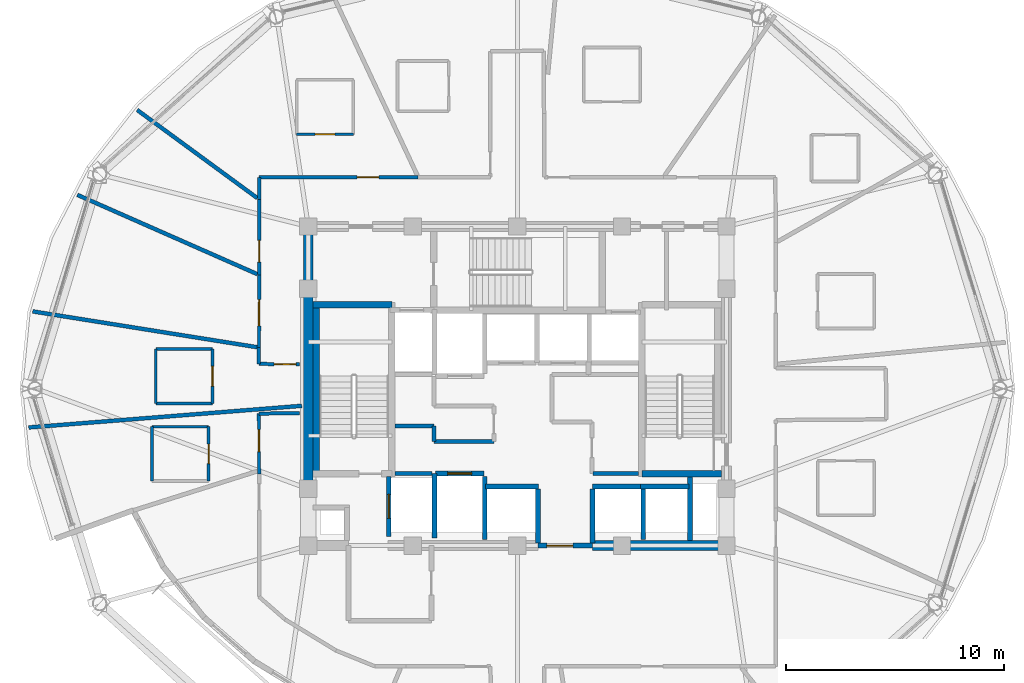
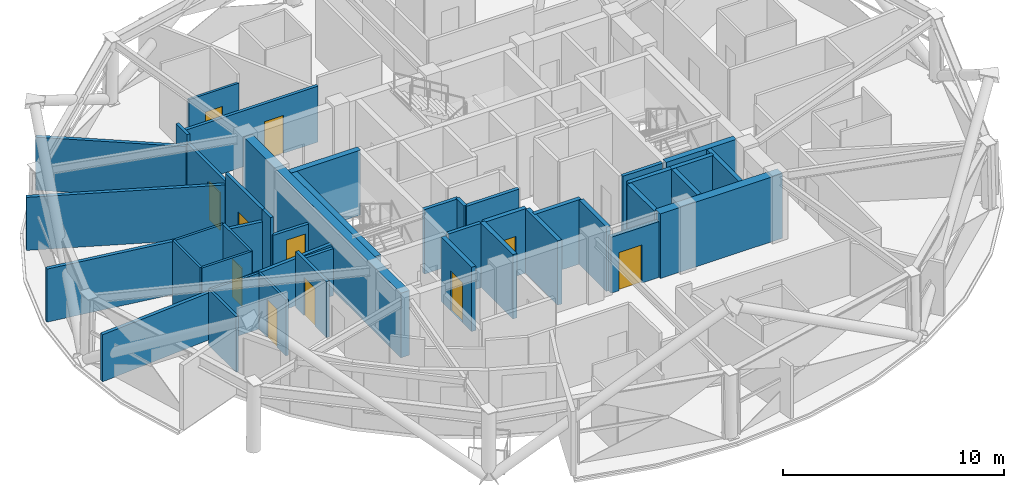
# One storey, part 11 of 18: 42 walls, 11 doors, 11 openings.
"""IFC4 building model written with IfcOpenShell, lengths in metres."""

from ifc_helpers import new_model, si_unit, direction, frame, frame_2d, origin, place, context, subcontext, project, spatial, rectangle, extrude, material, layer, layer_set, type_object, element, fill, save


model = new_model("IFC4")

# Units and contexts
model_context = context("Model", 3, precision=1e-05, world=origin(), true_north=direction((0.0, 1.0)))
body_context = subcontext(model_context, "Body", "Model", "MODEL_VIEW")
ifc_project = project(units=[si_unit("LENGTHUNIT", "METRE"), si_unit("AREAUNIT", "SQUARE_METRE"), si_unit("VOLUMEUNIT", "CUBIC_METRE"), si_unit("PLANEANGLEUNIT", "RADIAN"), si_unit("MASSUNIT", "GRAM", prefix="KILO")], contexts=[model_context])

# Site, building, storey
site_placement = place(None, origin())
site = spatial("IfcSite", under=ifc_project, at=site_placement, CompositionType="ELEMENT")
building_placement = place(site_placement, origin())
building = spatial("IfcBuilding", under=site, at=building_placement, Name="Vantalir Tower", CompositionType="ELEMENT")
storey_placement = place(building_placement, frame((0.0, 0.0, 212.39990234375)))
storey = spatial("IfcBuildingStorey", under=building, at=storey_placement, Name="L53", CompositionType="ELEMENT", Elevation=212.39990234375)

# Wall, opening, door
ifc_material_1 = material(Name="Moisture-resistant en-suite partition", Category="gypsum")
ifc_layer_1 = layer(ifc_material_1, 0.125)
ifc_layer_set_1 = layer_set([ifc_layer_1], Name="Moisture-resistant en-suite partition")
wall_type_1 = type_object("IfcWallType", Name="WL-BATH-125", PredefinedType="PARTITIONING", material=ifc_layer_set_1)
wall_1_placement = place(storey_placement, frame((21.364990234375, 36.68310546875, 0.0), z_axis=(0.0, 0.0, 1.0), x_axis=(1.0, 0.0, 0.0)))
wall_1 = element("IfcWall", 1, at=wall_1_placement, inside=storey, type_object=wall_type_1, Name="L53 En-suite 05 South Wall", PredefinedType="PARTITIONING", context=body_context, shape_type="SweptSolid", body=[
    extrude(rectangle(XDim=2.60009765625, YDim=0.125, at=frame_2d((1.300048828125, 0.0))), origin(), (0.0, 0.0, 1.0), 3.0810546875),
])
opening_1_placement = place(wall_1_placement, frame((0.85009765625, 0.0, 0.0)))
opening_1 = element("IfcOpeningElement", 2, at=opening_1_placement, cuts=wall_1, Name="Opening D-WC", PredefinedType="OPENING", context=body_context, shape_type="SweptSolid", body=[
    extrude(rectangle(XDim=0.89990234375, YDim=2.10009765625, at=frame_2d((0.449951171875, 1.050048828125))), frame((0.0, 0.072509765625, 0.0), z_axis=(0.0, -1.0, 0.0), x_axis=(1.0, 0.0, 0.0)), (0.0, 0.0, 1.0), 0.14501953125),
])
ifc_material_2 = material(Name="Moisture-resistant hardwood door", Category="wood")
door_type_1 = type_object("IfcDoorType", Name="DR-ENSUITE-900", OperationType="NOTDEFINED", PredefinedType="DOOR", material=ifc_material_2)
door_1_placement = place(opening_1_placement, origin())
door_1 = element("IfcDoor", 3, at=door_1_placement, inside=storey, type_object=door_type_1, Name="L53 En-suite 05 Door", OperationType="SINGLE_SWING_LEFT", OverallHeight=2.10009765625, OverallWidth=0.89990234375, PredefinedType="DOOR", context=body_context, shape_type="SweptSolid", body=[
    extrude(rectangle(XDim=0.89990234375, YDim=2.10009765625, at=frame_2d((0.449951171875, 1.050048828125))), frame((0.0, 0.02490234375, 0.0), z_axis=(0.0, -1.0, 0.0), x_axis=(1.0, 0.0, 0.0)), (0.0, 0.0, 1.0), 0.050048828125),
])
fill(opening_1, door_1)

# Walls
for number, where, z_axis, x_axis, name in (
    (4, (14.89990234375, 24.324951171875, 0.0), (0.0, 0.0, 1.0), (1.0, 0.0, 0.0), "L53 En-suite 08 South Wall"),
    (5, (14.89990234375, 26.824951171875, 0.0), (0.0, 0.0, 1.0), (1.0, 0.0, 0.0), "L53 En-suite 08 North Wall"),
):
    element("IfcWall", number, at=place(storey_placement, frame(where, z_axis=z_axis, x_axis=x_axis)), inside=storey, type_object=wall_type_1, Name=name, PredefinedType="PARTITIONING", context=body_context, shape_type="SweptSolid", body=[
        extrude(rectangle(XDim=2.60009765625, YDim=0.125, at=frame_2d((1.300048828125, 0.0))), origin(), (0.0, 0.0, 1.0), 3.550048828125),
    ])
wall_2_placement = place(storey_placement, frame((14.89990234375, 24.324951171875, 0.0), z_axis=(0.0, 0.0, 1.0), x_axis=(0.0, 1.0, 0.0)))
element("IfcWall", 6, at=wall_2_placement, inside=storey, type_object=wall_type_1, Name="L53 En-suite 08 West Wall", PredefinedType="PARTITIONING", context=body_context, shape_type="SweptSolid", body=[
    extrude(rectangle(XDim=2.5, YDim=0.125, at=frame_2d((1.25, 0.0))), origin(), (0.0, 0.0, 1.0), 3.550048828125),
])

# Wall, opening, door
wall_3_placement = place(storey_placement, frame((17.5, 24.324951171875, 0.0), z_axis=(0.0, 0.0, 1.0), x_axis=(0.0, 1.0, 0.0)))
wall_3 = element("IfcWall", 7, at=wall_3_placement, inside=storey, type_object=wall_type_1, Name="L53 En-suite 08 East Wall", PredefinedType="PARTITIONING", context=body_context, shape_type="SweptSolid", body=[
    extrude(rectangle(XDim=2.5, YDim=0.125, at=frame_2d((1.25, 0.0))), origin(), (0.0, 0.0, 1.0), 3.550048828125),
])
opening_2_placement = place(wall_3_placement, frame((0.800048828125, 0.0, 0.0)))
opening_2 = element("IfcOpeningElement", 8, at=opening_2_placement, cuts=wall_3, Name="Opening D-WC", PredefinedType="OPENING", context=body_context, shape_type="SweptSolid", body=[
    extrude(rectangle(XDim=0.89990234375, YDim=2.10009765625, at=frame_2d((0.449951171875, 1.050048828125))), frame((0.0, 0.072509765625, 0.0), z_axis=(0.0, -1.0, 0.0), x_axis=(1.0, 0.0, 0.0)), (0.0, 0.0, 1.0), 0.14501953125),
])
door_2_placement = place(opening_2_placement, origin())
door_2 = element("IfcDoor", 9, at=door_2_placement, inside=storey, type_object=door_type_1, Name="L53 En-suite 08 Door", OperationType="SINGLE_SWING_RIGHT", OverallHeight=2.10009765625, OverallWidth=0.89990234375, PredefinedType="DOOR", context=body_context, shape_type="SweptSolid", body=[
    extrude(rectangle(XDim=0.89990234375, YDim=2.10009765625, at=frame_2d((0.449951171875, 1.050048828125))), frame((0.0, 0.02490234375, 0.0), z_axis=(0.0, -1.0, 0.0), x_axis=(1.0, 0.0, 0.0)), (0.0, 0.0, 1.0), 0.050048828125),
])
fill(opening_2, door_2)

# Walls
wall_4_placement = place(storey_placement, frame((14.719970703125, 23.260986328125, 0.0), z_axis=(0.0, 0.0, 1.0), x_axis=(1.0, 0.0, 0.0)))
element("IfcWall", 10, at=wall_4_placement, inside=storey, type_object=wall_type_1, Name="L53 En-suite 09 North Wall", PredefinedType="PARTITIONING", context=body_context, shape_type="SweptSolid", body=[
    extrude(rectangle(XDim=2.60009765625, YDim=0.125, at=frame_2d((1.300048828125, 0.0))), origin(), (0.0, 0.0, 1.0), 3.0810546875),
])
wall_5_placement = place(storey_placement, frame((14.719970703125, 20.760986328125, 0.0), z_axis=(0.0, 0.0, 1.0), x_axis=(0.0, 1.0, 0.0)))
element("IfcWall", 11, at=wall_5_placement, inside=storey, type_object=wall_type_1, Name="L53 En-suite 09 West Wall", PredefinedType="PARTITIONING", context=body_context, shape_type="SweptSolid", body=[
    extrude(rectangle(XDim=2.5, YDim=0.125, at=frame_2d((1.25, 0.0))), origin(), (0.0, 0.0, 1.0), 3.0810546875),
])

# Wall, opening, door
wall_6_placement = place(storey_placement, frame((17.320068359375, 20.760986328125, 0.0), z_axis=(0.0, 0.0, 1.0), x_axis=(0.0, 1.0, 0.0)))
wall_6 = element("IfcWall", 12, at=wall_6_placement, inside=storey, type_object=wall_type_1, Name="L53 En-suite 09 East Wall", PredefinedType="PARTITIONING", context=body_context, shape_type="SweptSolid", body=[
    extrude(rectangle(XDim=2.5, YDim=0.125, at=frame_2d((1.25, 0.0))), origin(), (0.0, 0.0, 1.0), 3.0810546875),
])
opening_3_placement = place(wall_6_placement, frame((0.800048828125, 0.0, 0.0)))
opening_3 = element("IfcOpeningElement", 13, at=opening_3_placement, cuts=wall_6, Name="Opening D-WC", PredefinedType="OPENING", context=body_context, shape_type="SweptSolid", body=[
    extrude(rectangle(XDim=0.89990234375, YDim=2.10009765625, at=frame_2d((0.449951171875, 1.050048828125))), frame((0.0, 0.072509765625, 0.0), z_axis=(0.0, -1.0, 0.0), x_axis=(1.0, 0.0, 0.0)), (0.0, 0.0, 1.0), 0.14501953125),
])
door_3_placement = place(opening_3_placement, origin())
door_3 = element("IfcDoor", 14, at=door_3_placement, inside=storey, type_object=door_type_1, Name="L53 En-suite 09 Door", OperationType="SINGLE_SWING_LEFT", OverallHeight=2.10009765625, OverallWidth=0.89990234375, PredefinedType="DOOR", context=body_context, shape_type="SweptSolid", body=[
    extrude(rectangle(XDim=0.89990234375, YDim=2.10009765625, at=frame_2d((0.449951171875, 1.050048828125))), frame((0.0, 0.02490234375, 0.0), z_axis=(0.0, -1.0, 0.0), x_axis=(1.0, 0.0, 0.0)), (0.0, 0.0, 1.0), 0.050048828125),
])
fill(opening_3, door_3)

# Walls
ifc_material_3 = material(Name="Concrete C50/60", Category="concrete")
ifc_layer_2 = layer(ifc_material_3, 0.449951171875)
ifc_layer_set_2 = layer_set([ifc_layer_2], Name="Concrete C50/60")
wall_type_2 = type_object("IfcWallType", Name="WL-CORE-450", PredefinedType="SHEAR", material=ifc_layer_set_2)
wall_7_placement = place(storey_placement, frame((34.949951171875, 17.800048828125, 0.0), z_axis=(0.0, 0.0, 1.0), x_axis=(1.0, 0.0, 0.0)))
element("IfcWall", 15, at=wall_7_placement, inside=storey, type_object=wall_type_2, Name="L53 Core Shear Wall South-East", PredefinedType="SHEAR", context=body_context, shape_type="SweptSolid", body=[
    extrude(rectangle(XDim=6.375, YDim=0.449951171875, at=frame_2d((3.1875, 0.0))), origin(), (0.0, 0.0, 1.0), 3.570068359375),
])
wall_8_placement = place(storey_placement, frame((21.89990234375, 18.02490234375, 0.0), z_axis=(0.0, 0.0, 1.0), x_axis=(0.0, 1.0, 0.0)))
element("IfcWall", 16, at=wall_8_placement, inside=storey, type_object=wall_type_2, Name="L53 Core Shear Wall West", PredefinedType="SHEAR", context=body_context, shape_type="SweptSolid", body=[
    extrude(rectangle(XDim=14.2001953125, YDim=0.449951171875, at=frame_2d((7.10009765625, 0.0))), origin(), (0.0, 0.0, 1.0), 3.570068359375),
])

# Wall, opening, door
ifc_material_4 = material(Name="Fire-rated hotel corridor acoustic partition", Category="gypsum")
ifc_layer_3 = layer(ifc_material_4, 0.159912109375)
ifc_layer_set_3 = layer_set([ifc_layer_3], Name="Fire-rated hotel corridor acoustic partition")
wall_type_3 = type_object("IfcWallType", Name="WL-CORR-160", PredefinedType="PARTITIONING", material=ifc_layer_set_3)
wall_9_placement = place(storey_placement, frame((21.4951171875, 26.116943359375, 0.0), z_axis=(0.0, 0.0, 1.0), x_axis=(-0.999908537082, 0.013524698532, 0.0)))
wall_9 = element("IfcWall", 17, at=wall_9_placement, inside=storey, type_object=wall_type_3, Name="L53 Corridor Partition 01", PredefinedType="PARTITIONING", context=body_context, shape_type="SweptSolid", body=[
    extrude(rectangle(XDim=1.859375, YDim=0.159912109375, at=frame_2d((0.9296875, 0.0))), origin(), (0.0, 0.0, 1.0), 2.59521484375),
])
opening_4_placement = place(wall_9_placement, frame((0.159912109375, 0.0, 0.0)))
opening_4 = element("IfcOpeningElement", 18, at=opening_4_placement, cuts=wall_9, Name="Opening D-GUEST", PredefinedType="OPENING", context=body_context, shape_type="SweptSolid", body=[
    extrude(rectangle(XDim=1.0, YDim=2.10009765625, at=frame_2d((0.5, 1.050048828125))), frame((0.0, 0.08984375, 0.0), z_axis=(0.0, -1.0, 0.0), x_axis=(1.0, 0.0, 0.0)), (0.0, 0.0, 1.0), 0.179931640625),
])
ifc_material_5 = material(Name="Solid-core teak veneer acoustic fire door", Category="wood")
door_type_2 = type_object("IfcDoorType", Name="DR-GUEST-ENTRY-1000", OperationType="NOTDEFINED", PredefinedType="DOOR", material=ifc_material_5)
door_4_placement = place(opening_4_placement, origin())
door_4 = element("IfcDoor", 19, at=door_4_placement, inside=storey, type_object=door_type_2, Name="L53 Twin Queen Hotel Room 08 Door", OperationType="SINGLE_SWING_LEFT", OverallHeight=2.10009765625, OverallWidth=1.0, PredefinedType="DOOR", context=body_context, shape_type="SweptSolid", body=[
    extrude(rectangle(XDim=1.0, YDim=2.10009765625, at=frame_2d((0.5, 1.050048828125))), frame((0.0, 0.02490234375, 0.0), z_axis=(0.0, -1.0, 0.0), x_axis=(1.0, 0.0, 0.0)), (0.0, 0.0, 1.0), 0.050048828125),
])
fill(opening_4, door_4)

# Wall
wall_10_placement = place(storey_placement, frame((19.635986328125, 26.14208984375, 0.0), z_axis=(0.0, 0.0, 1.0), x_axis=(0.0, 1.0, 0.0)))
element("IfcWall", 20, at=wall_10_placement, inside=storey, type_object=wall_type_3, Name="L53 Corridor Partition 02", PredefinedType="PARTITIONING", context=body_context, shape_type="SweptSolid", body=[
    extrude(rectangle(XDim=0.751953125, YDim=0.159912109375, at=frame_2d((0.3759765625, 0.0))), origin(), (0.0, 0.0, 1.0), 3.550048828125),
])

# Wall, opening, door
wall_11_placement = place(storey_placement, frame((19.635986328125, 26.89404296875, 0.0), z_axis=(0.0, 0.0, 1.0), x_axis=(0.001172332137, 0.999999312818, 0.0)))
wall_11 = element("IfcWall", 21, at=wall_11_placement, inside=storey, type_object=wall_type_3, Name="L53 Corridor Partition 03", PredefinedType="PARTITIONING", context=body_context, shape_type="SweptSolid", body=[
    extrude(rectangle(XDim=3.33203125, YDim=0.159912109375, at=frame_2d((1.666015625, 0.0))), origin(), (0.0, 0.0, 1.0), 3.550048828125),
])
opening_5_placement = place(wall_11_placement, frame((0.99609375, 0.0, 0.0)))
opening_5 = element("IfcOpeningElement", 22, at=opening_5_placement, cuts=wall_11, Name="Opening D-STE", PredefinedType="OPENING", context=body_context, shape_type="SweptSolid", body=[
    extrude(rectangle(XDim=1.199951171875, YDim=2.10009765625, at=frame_2d((0.60009765625, 1.050048828125))), frame((0.0, 0.08984375, 0.0), z_axis=(0.0, -1.0, 0.0), x_axis=(1.0, 0.0, 0.0)), (0.0, 0.0, 1.0), 0.179931640625),
])
ifc_material_6 = material(Name="Solid-core teak veneer suite entrance door", Category="wood")
door_type_3 = type_object("IfcDoorType", Name="DR-SUITE-ENTRY-1200", OperationType="NOTDEFINED", PredefinedType="DOOR", material=ifc_material_6)
door_5_placement = place(opening_5_placement, origin())
door_5 = element("IfcDoor", 23, at=door_5_placement, inside=storey, type_object=door_type_3, Name="L53 Club Reading Lounge 07 Door", OperationType="SINGLE_SWING_RIGHT", OverallHeight=2.10009765625, OverallWidth=1.199951171875, PredefinedType="DOOR", context=body_context, shape_type="SweptSolid", body=[
    extrude(rectangle(XDim=1.199951171875, YDim=2.10009765625, at=frame_2d((0.60009765625, 1.050048828125))), frame((0.0, 0.02490234375, 0.0), z_axis=(0.0, -1.0, 0.0), x_axis=(1.0, 0.0, 0.0)), (0.0, 0.0, 1.0), 0.050048828125),
])
fill(opening_5, door_5)

wall_12_placement = place(storey_placement, frame((19.639892578125, 30.22607421875, 0.0), z_axis=(0.0, 0.0, 1.0), x_axis=(0.000915428107, 0.999999580996, 0.0)))
wall_12 = element("IfcWall", 24, at=wall_12_placement, inside=storey, type_object=wall_type_3, Name="L53 Corridor Partition 04", PredefinedType="PARTITIONING", context=body_context, shape_type="SweptSolid", body=[
    extrude(rectangle(XDim=3.467041015625, YDim=0.159912109375, at=frame_2d((1.7333984375, 0.0))), origin(), (0.0, 0.0, 1.0), 3.0810546875),
])
opening_6_placement = place(wall_12_placement, frame((0.589111328125, 0.0, 0.0)))
opening_6 = element("IfcOpeningElement", 25, at=opening_6_placement, cuts=wall_12, Name="Opening D-GUEST", PredefinedType="OPENING", context=body_context, shape_type="SweptSolid", body=[
    extrude(rectangle(XDim=1.0, YDim=2.10009765625, at=frame_2d((0.5, 1.050048828125))), frame((0.0, 0.08984375, 0.0), z_axis=(0.0, -1.0, 0.0), x_axis=(1.0, 0.0, 0.0)), (0.0, 0.0, 1.0), 0.179931640625),
])
door_6_placement = place(opening_6_placement, origin())
door_6 = element("IfcDoor", 26, at=door_6_placement, inside=storey, type_object=door_type_2, Name="L53 Executive Business Study 06 Door", OperationType="SINGLE_SWING_LEFT", OverallHeight=2.10009765625, OverallWidth=1.0, PredefinedType="DOOR", context=body_context, shape_type="SweptSolid", body=[
    extrude(rectangle(XDim=1.0, YDim=2.10009765625, at=frame_2d((0.5, 1.050048828125))), frame((0.0, 0.02490234375, 0.0), z_axis=(0.0, -1.0, 0.0), x_axis=(1.0, 0.0, 0.0)), (0.0, 0.0, 1.0), 0.050048828125),
])
fill(opening_6, door_6)

# Wall
wall_13_placement = place(storey_placement, frame((19.64306640625, 33.693115234375, 0.0), z_axis=(0.0, 0.0, 1.0), x_axis=(0.000969931649, 0.999999529616, 0.0)))
element("IfcWall", 27, at=wall_13_placement, inside=storey, type_object=wall_type_3, Name="L53 Corridor Partition 05", PredefinedType="PARTITIONING", context=body_context, shape_type="SweptSolid", body=[
    extrude(rectangle(XDim=1.0068359375, YDim=0.159912109375, at=frame_2d((0.50341796875, 0.0))), origin(), (0.0, 0.0, 1.0), 3.550048828125),
])

# Wall, opening, door
wall_14_placement = place(storey_placement, frame((19.64404296875, 34.699951171875, 0.0), z_axis=(0.0, 0.0, 1.0), x_axis=(0.999999060672, 0.00137064024, 0.0)))
wall_14 = element("IfcWall", 28, at=wall_14_placement, inside=storey, type_object=wall_type_3, Name="L53 Corridor Partition 06", PredefinedType="PARTITIONING", context=body_context, shape_type="SweptSolid", body=[
    extrude(rectangle(XDim=7.302978515625, YDim=0.159912109375, at=frame_2d((3.6513671875, 0.0))), origin(), (0.0, 0.0, 1.0), 3.0810546875),
])
opening_7_placement = place(wall_14_placement, frame((4.498046875, 0.0, 0.0)))
opening_7 = element("IfcOpeningElement", 29, at=opening_7_placement, cuts=wall_14, Name="Opening D-GUEST", PredefinedType="OPENING", context=body_context, shape_type="SweptSolid", body=[
    extrude(rectangle(XDim=1.0, YDim=2.10009765625, at=frame_2d((0.5, 1.050048828125))), frame((0.0, 0.08984375, 0.0), z_axis=(0.0, -1.0, 0.0), x_axis=(1.0, 0.0, 0.0)), (0.0, 0.0, 1.0), 0.179931640625),
])
door_7_placement = place(opening_7_placement, origin())
door_7 = element("IfcDoor", 30, at=door_7_placement, inside=storey, type_object=door_type_2, Name="L53 Twin Queen Hotel Room 05 Door", OperationType="SINGLE_SWING_RIGHT", OverallHeight=2.10009765625, OverallWidth=1.0, PredefinedType="DOOR", context=body_context, shape_type="SweptSolid", body=[
    extrude(rectangle(XDim=1.0, YDim=2.10009765625, at=frame_2d((0.5, 1.050048828125))), frame((0.0, 0.02490234375, 0.0), z_axis=(0.0, -1.0, 0.0), x_axis=(1.0, 0.0, 0.0)), (0.0, 0.0, 1.0), 0.050048828125),
])
fill(opening_7, door_7)

wall_15_placement = place(storey_placement, frame((19.636962890625, 21.091064453125, 0.0), z_axis=(0.0, 0.0, 1.0), x_axis=(-0.000352951535, 0.999999937713, 0.0)))
wall_15 = element("IfcWall", 31, at=wall_15_placement, inside=storey, type_object=wall_type_3, Name="L53 Corridor Partition 33", PredefinedType="PARTITIONING", context=body_context, shape_type="SweptSolid", body=[
    extrude(rectangle(XDim=2.766845703125, YDim=0.159912109375, at=frame_2d((1.38330078125, 0.0))), origin(), (0.0, 0.0, 1.0), 3.0810546875),
])
opening_8_placement = place(wall_15_placement, frame((1.028076171875, 0.0, 0.0)))
opening_8 = element("IfcOpeningElement", 32, at=opening_8_placement, cuts=wall_15, Name="Opening D-GUEST", PredefinedType="OPENING", context=body_context, shape_type="SweptSolid", body=[
    extrude(rectangle(XDim=1.0, YDim=2.10009765625, at=frame_2d((0.5, 1.050048828125))), frame((0.0, 0.08984375, 0.0), z_axis=(0.0, -1.0, 0.0), x_axis=(1.0, 0.0, 0.0)), (0.0, 0.0, 1.0), 0.179931640625),
])
door_8_placement = place(opening_8_placement, origin())
door_8 = element("IfcDoor", 33, at=door_8_placement, inside=storey, type_object=door_type_2, Name="L53 Deluxe King Hotel Room 09 Door", OperationType="SINGLE_SWING_RIGHT", OverallHeight=2.10009765625, OverallWidth=1.0, PredefinedType="DOOR", context=body_context, shape_type="SweptSolid", body=[
    extrude(rectangle(XDim=1.0, YDim=2.10009765625, at=frame_2d((0.5, 1.050048828125))), frame((0.0, 0.02490234375, 0.0), z_axis=(0.0, -1.0, 0.0), x_axis=(1.0, 0.0, 0.0)), (0.0, 0.0, 1.0), 0.050048828125),
])
fill(opening_8, door_8)

# Walls
wall_16_placement = place(storey_placement, frame((19.635986328125, 23.85791015625, 0.0), z_axis=(0.0, 0.0, 1.0), x_axis=(0.999915502175, 0.012999558072, 0.0)))
element("IfcWall", 34, at=wall_16_placement, inside=storey, type_object=wall_type_3, Name="L53 Corridor Partition 34", PredefinedType="PARTITIONING", context=body_context, shape_type="SweptSolid", body=[
    extrude(rectangle(XDim=1.859375, YDim=0.159912109375, at=frame_2d((0.9296875, 0.0))), origin(), (0.0, 0.0, 1.0), 2.59521484375),
])
ifc_material_7 = material(Name="Concrete blockwork with fireboard lining", Category="masonry")
ifc_layer_4 = layer(ifc_material_7, 0.219970703125)
ifc_layer_set_4 = layer_set([ifc_layer_4], Name="Concrete blockwork with fireboard lining")
wall_type_4 = type_object("IfcWallType", Name="WL-FFL-220", PredefinedType="PARTITIONING", material=ifc_layer_set_4)
wall_17_placement = place(storey_placement, frame((30.0, 18.080078125, 0.0), z_axis=(0.0, 0.0, 1.0), x_axis=(0.0, 1.0, 0.0)))
element("IfcWall", 35, at=wall_17_placement, inside=storey, type_object=wall_type_4, Name="L53 Service Lift SV1 East Shaft Wall", PredefinedType="PARTITIONING", context=body_context, shape_type="SweptSolid", body=[
    extrude(rectangle(XDim=2.89990234375, YDim=0.219970703125, at=frame_2d((1.449951171875, 0.0))), origin(), (0.0, 0.0, 1.0), 3.545166015625),
])
for number, where, z_axis, x_axis, name in (
    (36, (32.449951171875, 17.919921875, 0.0), (0.0, 0.0, 1.0), (0.0, 1.0, 0.0), "L53 Shuttle Lift PL-X1 East Shaft Cheek"),
    (37, (34.949951171875, 17.919921875, 0.0), (0.0, 0.0, 1.0), (0.0, 1.0, 0.0), "L53 Shuttle Lift PL-X3 West Shaft Cheek"),
):
    element("IfcWall", number, at=place(storey_placement, frame(where, z_axis=z_axis, x_axis=x_axis)), inside=storey, type_object=wall_type_4, Name=name, PredefinedType="PARTITIONING", context=body_context, shape_type="SweptSolid", body=[
        extrude(rectangle(XDim=2.469970703125, YDim=0.219970703125, at=frame_2d((1.23486328125, 0.0))), origin(), (0.0, 0.0, 1.0), 3.545166015625),
    ])
wall_18_placement = place(storey_placement, frame((37.27490234375, 18.080078125, 0.0), z_axis=(0.0, 0.0, 1.0), x_axis=(0.0, 1.0, 0.0)))
element("IfcWall", 38, at=wall_18_placement, inside=storey, type_object=wall_type_4, Name="L53 Shuttle Lift PL-X2/X3 Shaft Divider", PredefinedType="PARTITIONING", context=body_context, shape_type="SweptSolid", body=[
    extrude(rectangle(XDim=2.309814453125, YDim=0.219970703125, at=frame_2d((1.15478515625, 0.0))), origin(), (0.0, 0.0, 1.0), 3.545166015625),
])

# Wall, opening, door
wall_19_placement = place(storey_placement, frame((32.449951171875, 17.800048828125, 0.0), z_axis=(0.0, 0.0, 1.0), x_axis=(1.0, 0.0, 0.0)))
wall_19 = element("IfcWall", 39, at=wall_19_placement, inside=storey, type_object=wall_type_4, Name="L53 Passenger Lift Lobby South Wall", PredefinedType="PARTITIONING", context=body_context, shape_type="SweptSolid", body=[
    extrude(rectangle(XDim=2.5, YDim=0.219970703125, at=frame_2d((1.25, 0.0))), origin(), (0.0, 0.0, 1.0), 3.0810546875),
])
opening_9_placement = place(wall_19_placement, frame((0.39990234375, 0.0, 0.0)))
opening_9 = element("IfcOpeningElement", 40, at=opening_9_placement, cuts=wall_19, Name="Opening D-STE", PredefinedType="OPENING", context=body_context, shape_type="SweptSolid", body=[
    extrude(rectangle(XDim=1.199951171875, YDim=2.10009765625, at=frame_2d((0.60009765625, 1.050048828125))), frame((0.0, 0.119873046875, 0.0), z_axis=(0.0, -1.0, 0.0), x_axis=(1.0, 0.0, 0.0)), (0.0, 0.0, 1.0), 0.239990234375),
])
door_9_placement = place(opening_9_placement, origin())
door_9 = element("IfcDoor", 41, at=door_9_placement, inside=storey, type_object=door_type_3, Name="L53 Passenger Lift Lobby Concourse Door", OperationType="SINGLE_SWING_RIGHT", OverallHeight=2.10009765625, OverallWidth=1.199951171875, PredefinedType="DOOR", context=body_context, shape_type="SweptSolid", body=[
    extrude(rectangle(XDim=1.199951171875, YDim=2.10009765625, at=frame_2d((0.60009765625, 1.050048828125))), frame((0.0, 0.02490234375, 0.0), z_axis=(0.0, -1.0, 0.0), x_axis=(1.0, 0.0, 0.0)), (0.0, 0.0, 1.0), 0.050048828125),
])
fill(opening_9, door_9)

# Wall
wall_20_placement = place(storey_placement, frame((39.419921875, 18.02490234375, 0.0), z_axis=(0.0, 0.0, 1.0), x_axis=(0.0, 1.0, 0.0)))
element("IfcWall", 42, at=wall_20_placement, inside=storey, type_object=wall_type_4, Name="L53 East MEP Riser Wall W", PredefinedType="PARTITIONING", context=body_context, shape_type="SweptSolid", body=[
    extrude(rectangle(XDim=2.925048828125, YDim=0.219970703125, at=frame_2d((1.46240234375, 0.0))), origin(), (0.0, 0.0, 1.0), 3.550048828125),
])

# Wall, opening, door
wall_21_placement = place(storey_placement, frame((25.590087890625, 18.219970703125, 0.0), z_axis=(0.0, 0.0, 1.0), x_axis=(0.0, 1.0, 0.0)))
wall_21 = element("IfcWall", 43, at=wall_21_placement, inside=storey, type_object=wall_type_4, Name="L53 Lift FL1 Shaft Front Wall", PredefinedType="PARTITIONING", context=body_context, shape_type="SweptSolid", body=[
    extrude(rectangle(XDim=2.760009765625, YDim=0.219970703125, at=frame_2d((1.3798828125, 0.0))), origin(), (0.0, 0.0, 1.0), 3.550048828125),
])
opening_10_placement = place(wall_21_placement, frame((0.830078125, 0.0, 0.0)))
opening_10 = element("IfcOpeningElement", 44, at=opening_10_placement, cuts=wall_21, Name="Opening LD-FL1", PredefinedType="OPENING", context=body_context, shape_type="SweptSolid", body=[
    extrude(rectangle(XDim=1.10009765625, YDim=2.199951171875, at=frame_2d((0.550048828125, 1.10009765625))), frame((0.0, 0.119873046875, 0.0), z_axis=(0.0, -1.0, 0.0), x_axis=(1.0, 0.0, 0.0)), (0.0, 0.0, 1.0), 0.239990234375),
])
ifc_material_8 = material(Name="Brushed stainless-steel sliding lift landing door", Category="steel")
door_type_4 = type_object("IfcDoorType", Name="DR-LIFT-LANDING-1100", OperationType="DOUBLE_DOOR_SLIDING", PredefinedType="DOOR", material=ifc_material_8)
door_10_placement = place(opening_10_placement, origin())
door_10 = element("IfcDoor", 45, at=door_10_placement, inside=storey, type_object=door_type_4, Name="L53 Lift Landing Door FL1", OperationType="DOUBLE_DOOR_SLIDING", OverallHeight=2.199951171875, OverallWidth=1.10009765625, PredefinedType="DOOR", context=body_context, shape_type="SweptSolid", body=[
    extrude(rectangle(XDim=1.10009765625, YDim=2.199951171875, at=frame_2d((0.550048828125, 1.10009765625))), frame((0.0, 0.02490234375, 0.0), z_axis=(0.0, -1.0, 0.0), x_axis=(1.0, 0.0, 0.0)), (0.0, 0.0, 1.0), 0.050048828125),
])
fill(opening_10, door_10)

wall_22_placement = place(storey_placement, frame((27.739990234375, 21.110107421875, 0.0), z_axis=(0.0, 0.0, 1.0), x_axis=(1.0, 0.0, 0.0)))
wall_22 = element("IfcWall", 46, at=wall_22_placement, inside=storey, type_object=wall_type_4, Name="L53 Lift SV1 Shaft Front Wall", PredefinedType="PARTITIONING", context=body_context, shape_type="SweptSolid", body=[
    extrude(rectangle(XDim=2.219970703125, YDim=0.219970703125, at=frame_2d((1.10986328125, 0.0))), origin(), (0.0, 0.0, 1.0), 3.550048828125),
])
opening_11_placement = place(wall_22_placement, frame((0.56005859375, 0.0, 0.0)))
opening_11 = element("IfcOpeningElement", 47, at=opening_11_placement, cuts=wall_22, Name="Opening LD-SV1", PredefinedType="OPENING", context=body_context, shape_type="SweptSolid", body=[
    extrude(rectangle(XDim=1.10009765625, YDim=2.199951171875, at=frame_2d((0.550048828125, 1.10009765625))), frame((0.0, 0.119873046875, 0.0), z_axis=(0.0, -1.0, 0.0), x_axis=(1.0, 0.0, 0.0)), (0.0, 0.0, 1.0), 0.239990234375),
])
door_11_placement = place(opening_11_placement, origin())
door_11 = element("IfcDoor", 48, at=door_11_placement, inside=storey, type_object=door_type_4, Name="L53 Lift Landing Door SV1", OperationType="DOUBLE_DOOR_SLIDING", OverallHeight=2.199951171875, OverallWidth=1.10009765625, PredefinedType="DOOR", context=body_context, shape_type="SweptSolid", body=[
    extrude(rectangle(XDim=1.10009765625, YDim=2.199951171875, at=frame_2d((0.550048828125, 1.10009765625))), frame((0.0, 0.02490234375, 0.0), z_axis=(0.0, -1.0, 0.0), x_axis=(1.0, 0.0, 0.0)), (0.0, 0.0, 1.0), 0.050048828125),
])
fill(opening_11, door_11)

# Walls
wall_23_placement = place(storey_placement, frame((30.0400390625, 20.510009765625, 0.0), z_axis=(0.0, 0.0, 1.0), x_axis=(1.0, 0.0, 0.0)))
element("IfcWall", 49, at=wall_23_placement, inside=storey, type_object=wall_type_4, Name="L53 Lift PL-X1 Shaft Front Wall", PredefinedType="PARTITIONING", context=body_context, shape_type="SweptSolid", body=[
    extrude(rectangle(XDim=2.419921875, YDim=0.219970703125, at=frame_2d((1.2099609375, 0.0))), origin(), (0.0, 0.0, 1.0), 3.550048828125),
])
for number, where, z_axis, x_axis, name in (
    (50, (37.139892578125, 20.510009765625, 0.0), (0.0, 0.0, 1.0), (1.0, 0.0, 0.0), "L53 Lift PL-X2 Shaft Rear Wall"),
    (51, (34.93994140625, 20.510009765625, 0.0), (0.0, 0.0, 1.0), (1.0, 0.0, 0.0), "L53 Lift PL-X3 Shaft Front Wall"),
):
    element("IfcWall", number, at=place(storey_placement, frame(where, z_axis=z_axis, x_axis=x_axis)), inside=storey, type_object=wall_type_4, Name=name, PredefinedType="PARTITIONING", context=body_context, shape_type="SweptSolid", body=[
        extrude(rectangle(XDim=2.239990234375, YDim=0.219970703125, at=frame_2d((1.1201171875, 0.0))), origin(), (0.0, 0.0, 1.0), 3.550048828125),
    ])
wall_24_placement = place(storey_placement, frame((27.699951171875, 18.14990234375, 0.0), z_axis=(0.0, 0.0, 1.0), x_axis=(0.0, 1.0, 0.0)))
element("IfcWall", 52, at=wall_24_placement, inside=storey, type_object=wall_type_4, Name="L53 Fire Lift FL1 Dividing Wall", PredefinedType="PARTITIONING", context=body_context, shape_type="SweptSolid", body=[
    extrude(rectangle(XDim=2.9501953125, YDim=0.219970703125, at=frame_2d((1.47509765625, 0.0))), origin(), (0.0, 0.0, 1.0), 3.550048828125),
])
ifc_material_9 = material(Name="Twin-stud acoustic fire-rated gypsum partition", Category="gypsum")
ifc_layer_5 = layer(ifc_material_9, 0.179931640625)
ifc_layer_set_5 = layer_set([ifc_layer_5], Name="Twin-stud acoustic fire-rated gypsum partition")
wall_type_5 = type_object("IfcWallType", Name="WL-GUEST-180", PredefinedType="PARTITIONING", material=ifc_layer_set_5)
wall_25_placement = place(storey_placement, frame((25.889892578125, 21.10009765625, 0.0), z_axis=(0.0, 0.0, 1.0), x_axis=(1.0, 0.0, 0.0)))
element("IfcWall", 53, at=wall_25_placement, inside=storey, type_object=wall_type_5, Name="L53 Freed West Core South Wall", PredefinedType="PARTITIONING", context=body_context, shape_type="SweptSolid", body=[
    extrude(rectangle(XDim=1.7001953125, YDim=0.179931640625, at=frame_2d((0.85009765625, 0.0))), origin(), (0.0, 0.0, 1.0), 3.550048828125),
])
wall_26_placement = place(storey_placement, frame((25.889892578125, 23.300048828125, 0.0), z_axis=(0.0, 0.0, 1.0), x_axis=(1.0, 0.0, 0.0)))
element("IfcWall", 54, at=wall_26_placement, inside=storey, type_object=wall_type_5, Name="L53 West Linen South-West Wall", PredefinedType="PARTITIONING", context=body_context, shape_type="SweptSolid", body=[
    extrude(rectangle(XDim=1.7900390625, YDim=0.179931640625, at=frame_2d((0.89501953125, 0.0))), origin(), (0.0, 0.0, 1.0), 3.550048828125),
])
wall_27_placement = place(storey_placement, frame((27.679931640625, 22.580078125, 0.0), z_axis=(0.0, 0.0, 1.0), x_axis=(0.0, 1.0, 0.0)))
element("IfcWall", 55, at=wall_27_placement, inside=storey, type_object=wall_type_5, Name="L53 West Linen Step Wall", PredefinedType="PARTITIONING", context=body_context, shape_type="SweptSolid", body=[
    extrude(rectangle(XDim=0.719970703125, YDim=0.179931640625, at=frame_2d((0.35986328125, 0.0))), origin(), (0.0, 0.0, 1.0), 3.550048828125),
])
wall_28_placement = place(storey_placement, frame((27.679931640625, 22.580078125, 0.0), z_axis=(0.0, 0.0, 1.0), x_axis=(1.0, 0.0, 0.0)))
element("IfcWall", 56, at=wall_28_placement, inside=storey, type_object=wall_type_5, Name="L53 West Linen Alcove South Wall", PredefinedType="PARTITIONING", context=body_context, shape_type="SweptSolid", body=[
    extrude(rectangle(XDim=2.739990234375, YDim=0.179931640625, at=frame_2d((1.3701171875, 0.0))), origin(), (0.0, 0.0, 1.0), 3.550048828125),
])
wall_29_placement = place(storey_placement, frame((34.97998046875, 21.10009765625, 0.0), z_axis=(0.0, 0.0, 1.0), x_axis=(1.0, 0.0, 0.0)))
element("IfcWall", 57, at=wall_29_placement, inside=storey, type_object=wall_type_5, Name="L53 Freed East Core South Wall", PredefinedType="PARTITIONING", context=body_context, shape_type="SweptSolid", body=[
    extrude(rectangle(XDim=2.080078125, YDim=0.179931640625, at=frame_2d((1.0400390625, 0.0))), origin(), (0.0, 0.0, 1.0), 3.550048828125),
])
wall_30_placement = place(storey_placement, frame((19.56005859375, 33.75390625, 0.0), z_axis=(0.0, 0.0, 1.0), x_axis=(-0.80647194287, 0.591272361407, 0.0)))
element("IfcWall", 58, at=wall_30_placement, inside=storey, type_object=wall_type_5, Name="L53 Radial Suite Partition 06", PredefinedType="PARTITIONING", context=body_context, shape_type="SweptSolid", body=[
    extrude(rectangle(XDim=6.83984375, YDim=0.179931640625, at=frame_2d((3.419921875, 0.0))), origin(), (0.0, 0.0, 1.0), 2.925048828125),
])
wall_31_placement = place(storey_placement, frame((19.56005859375, 30.260986328125, 0.0), z_axis=(0.0, 0.0, 1.0), x_axis=(-0.915125928118, 0.403168123351, 0.0)))
element("IfcWall", 59, at=wall_31_placement, inside=storey, type_object=wall_type_5, Name="L53 Radial Suite Partition 07", PredefinedType="PARTITIONING", context=body_context, shape_type="SweptSolid", body=[
    extrude(rectangle(XDim=9.0283203125, YDim=0.179931640625, at=frame_2d((4.51416015625, 0.0))), origin(), (0.0, 0.0, 1.0), 2.925048828125),
])
wall_32_placement = place(storey_placement, frame((19.56005859375, 26.906005859375, 0.0), z_axis=(0.0, 0.0, 1.0), x_axis=(-0.98749921299, 0.157623933282, 0.0)))
element("IfcWall", 60, at=wall_32_placement, inside=storey, type_object=wall_type_5, Name="L53 Radial Suite Partition 08", PredefinedType="PARTITIONING", context=body_context, shape_type="SweptSolid", body=[
    extrude(rectangle(XDim=10.442626953125, YDim=0.179931640625, at=frame_2d((5.22119140625, 0.0))), origin(), (0.0, 0.0, 1.0), 2.925048828125),
])
wall_33_placement = place(storey_placement, frame((21.60009765625, 24.216064453125, 0.0), z_axis=(0.0, 0.0, 1.0), x_axis=(-0.996876465471, -0.078976658517, 0.0)))
element("IfcWall", 61, at=wall_33_placement, inside=storey, type_object=wall_type_5, Name="L53 Radial Suite Partition 09", PredefinedType="PARTITIONING", context=body_context, shape_type="SweptSolid", body=[
    extrude(rectangle(XDim=12.575439453125, YDim=0.179931640625, at=frame_2d((6.28759765625, 0.0))), origin(), (0.0, 0.0, 1.0), 2.59521484375),
])
ifc_layer_6 = layer(ifc_material_3, 0.300048828125)
ifc_layer_set_6 = layer_set([ifc_layer_6], Name="Concrete C50/60")
wall_type_6 = type_object("IfcWallType", Name="WL-STAIR-300", PredefinedType="SHEAR", material=ifc_layer_set_6)
wall_34_placement = place(storey_placement, frame((22.125, 28.85009765625, 0.0), z_axis=(0.0, 0.0, 1.0), x_axis=(1.0, 0.0, 0.0)))
element("IfcWall", 62, at=wall_34_placement, inside=storey, type_object=wall_type_6, Name="L53 Stair ST1 North Wall", PredefinedType="SHEAR", context=body_context, shape_type="SweptSolid", body=[
    extrude(rectangle(XDim=3.614990234375, YDim=0.300048828125, at=frame_2d((1.8076171875, 0.0))), origin(), (0.0, 0.0, 1.0), 3.570068359375),
])
wall_35_placement = place(storey_placement, frame((22.260009765625, 21.10009765625, 0.0), z_axis=(0.0, 0.0, 1.0), x_axis=(0.0, 1.0, 0.0)))
element("IfcWall", 63, at=wall_35_placement, inside=storey, type_object=wall_type_6, Name="L53 Stair ST1 West Liner Wall", PredefinedType="SHEAR", context=body_context, shape_type="SweptSolid", body=[
    extrude(rectangle(XDim=7.75, YDim=0.300048828125, at=frame_2d((3.875, 0.0))), origin(), (0.0, 0.0, 1.0), 3.570068359375),
])
wall_36_placement = place(storey_placement, frame((37.2099609375, 21.10009765625, 0.0), z_axis=(0.0, 0.0, 1.0), x_axis=(1.0, 0.0, 0.0)))
element("IfcWall", 64, at=wall_36_placement, inside=storey, type_object=wall_type_6, Name="L53 Stair ST2 South Wall", PredefinedType="SHEAR", context=body_context, shape_type="SweptSolid", body=[
    extrude(rectangle(XDim=3.6650390625, YDim=0.300048828125, at=frame_2d((1.83251953125, 0.0))), origin(), (0.0, 0.0, 1.0), 3.570068359375),
])

save(model, "model.ifc")
